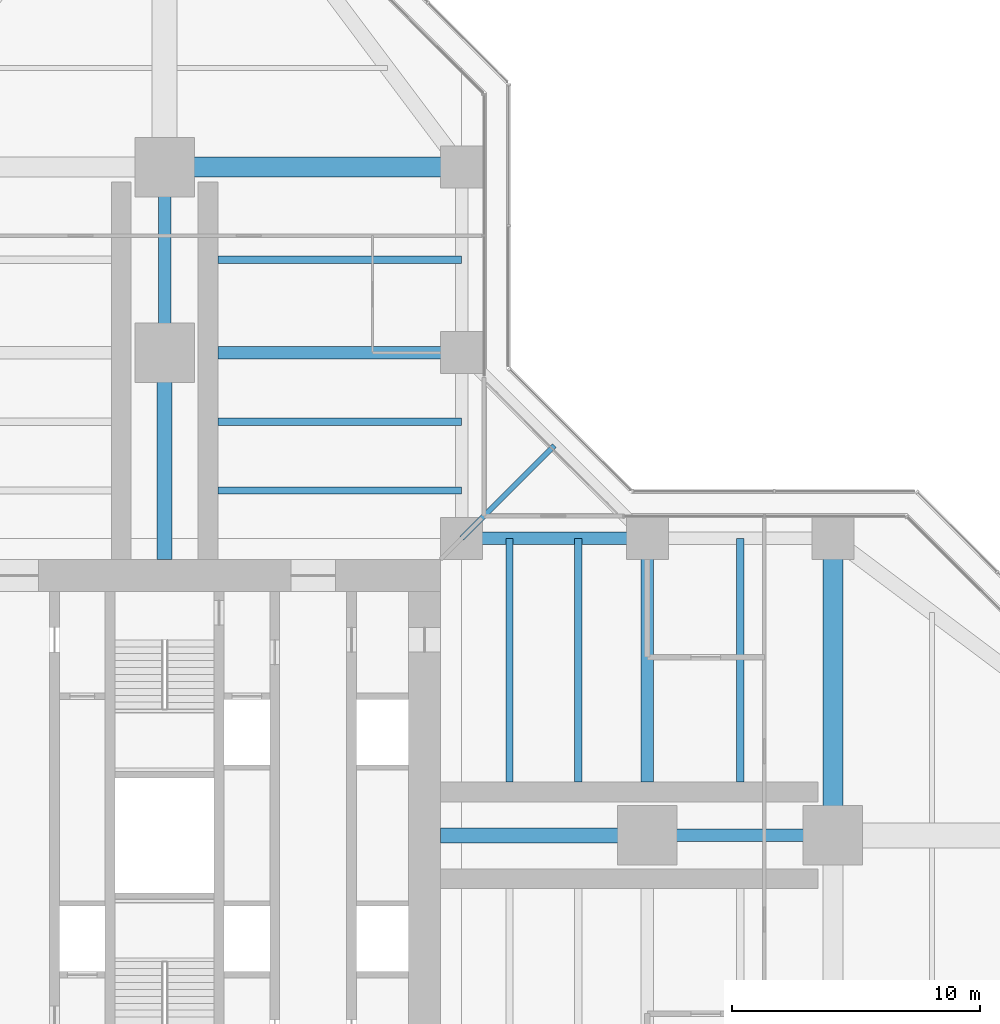
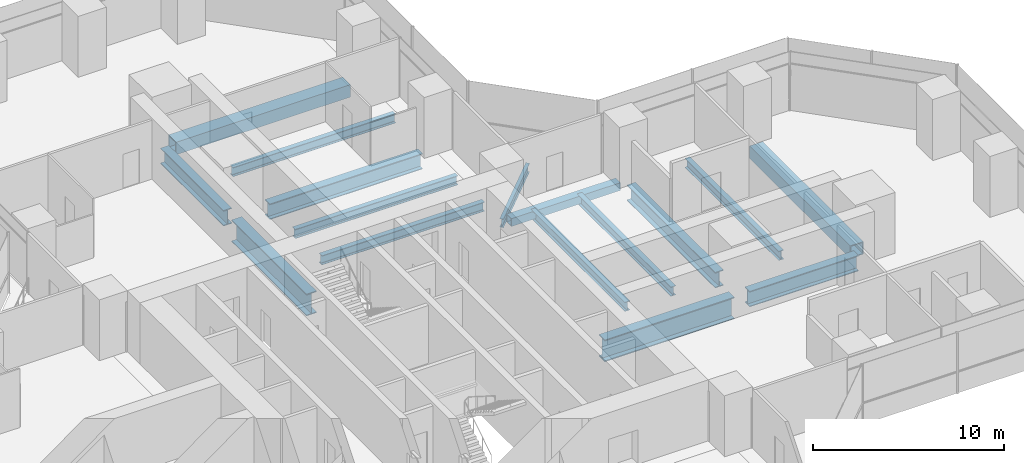
# One storey, part 10 of 22: 16 beams.
"""IFC4 building model written with IfcOpenShell, lengths in metres."""

from ifc_helpers import new_model, si_unit, direction, frame, origin, origin_2d, place, context, subcontext, project, spatial, hollow_rectangle, i_section, extrude, material, material_profile, profile_set, type_object, element, save


model = new_model("IFC4")

# Units and contexts
model_context = context("Model", 3, precision=1e-05, world=origin(), true_north=direction((0.0, 1.0)))
body_context = subcontext(model_context, "Body", "Model", "MODEL_VIEW")
ifc_project = project(units=[si_unit("LENGTHUNIT", "METRE"), si_unit("AREAUNIT", "SQUARE_METRE"), si_unit("VOLUMEUNIT", "CUBIC_METRE"), si_unit("PLANEANGLEUNIT", "RADIAN"), si_unit("MASSUNIT", "GRAM", prefix="KILO")], contexts=[model_context])

# Site, building, storey
site_placement = place(None, origin())
site = spatial("IfcSite", under=ifc_project, at=site_placement, CompositionType="ELEMENT")
building_placement = place(site_placement, origin())
building = spatial("IfcBuilding", under=site, at=building_placement, Name="Mizan Broadcast Tower", CompositionType="ELEMENT")
storey_placement = place(building_placement, frame((0.0, 0.0, 78.60009765625)))
storey = spatial("IfcBuildingStorey", under=building, at=storey_placement, Name="L16", CompositionType="ELEMENT", Elevation=78.60009765625)

# Beams
ifc_material_1 = material(Name="Steel S355", Category="steel")
ifc_material_profile_1 = material_profile(ifc_material_1, hollow_rectangle(XDim=0.5, YDim=0.5, WallThickness=0.030029296875, at=origin_2d()), Name="BOX 500x500x30")
ifc_profile_set_1 = profile_set([ifc_material_profile_1], Name="Steel S355")
beam_type_1 = type_object("IfcBeamType", Name="EDGE BEAM BOX 500x500x30", PredefinedType="SPANDREL", material=ifc_profile_set_1)
beam_1_placement = place(storey_placement, frame((12.449951171875, 12.0, -0.380126953125), z_axis=(1.0, 0.0, 0.0), x_axis=(0.0, 1.0, 0.0)))
element("IfcBeam", 1, at=beam_1_placement, inside=storey, type_object=beam_type_1, Name="Edge beam BOX 500x500x30 L16 east arm", PredefinedType="SPANDREL", context=body_context, shape_type="SweptSolid", body=[
    extrude(hollow_rectangle(XDim=0.5, YDim=0.5, WallThickness=0.030029296875, at=origin_2d()), origin(), (0.0, 0.0, 1.0), 6.60009765625),
])
ifc_material_2 = material(Name="Steel S460", Category="steel")
ifc_material_profile_2 = material_profile(ifc_material_2, hollow_rectangle(XDim=0.800048828125, YDim=0.800048828125, WallThickness=0.050048828125, at=origin_2d()), Name="BOX 800x800x50")
ifc_profile_set_2 = profile_set([ifc_material_profile_2], Name="Steel S460")
beam_type_2 = type_object("IfcBeamType", Name="GIRDER BOX 800x800x50", PredefinedType="BEAM", material=ifc_profile_set_2)
for number, where, z_axis, x_axis, name in (
    (2, (27.0, 11.280029296875, -0.530029296875), (0.0, -1.0, 0.0), (1.0, 0.0, 0.0), "Girder BOX 800x800x50 L16 east arm"),
    (3, (11.280029296875, 27.0, -0.530029296875), (-1.0, 0.0, 0.0), (0.0, -1.0, 0.0), "Girder BOX 800x800x50 L16 north arm"),
):
    element("IfcBeam", number, at=place(storey_placement, frame(where, z_axis=z_axis, x_axis=x_axis)), inside=storey, type_object=beam_type_2, Name=name, PredefinedType="BEAM", context=body_context, shape_type="SweptSolid", body=[
        extrude(hollow_rectangle(XDim=0.800048828125, YDim=0.800048828125, WallThickness=0.050048828125, at=origin_2d()), origin(), (0.0, 0.0, 1.0), 10.56005859375),
    ])
ifc_material_3 = material(Name="Steel S460", Category="steel")
ifc_material_profile_3 = material_profile(ifc_material_3, i_section(OverallWidth=0.5, OverallDepth=1.0, WebThickness=0.02490234375, FlangeThickness=0.050048828125, at=origin_2d()), Name="WPG 1000x500")
ifc_profile_set_3 = profile_set([ifc_material_profile_3], Name="Steel S460")
beam_type_3 = type_object("IfcBeamType", Name="GIRDER WPG 1000x500", PredefinedType="BEAM", material=ifc_profile_set_3)
beam_2_placement = place(storey_placement, frame((19.949951171875, 0.0, -0.630126953125), z_axis=(1.0, 0.0, 0.0), x_axis=(0.0, 1.0, 0.0)))
element("IfcBeam", 4, at=beam_2_placement, inside=storey, type_object=beam_type_3, Name="Girder WPG 1000x500 L16 east arm", PredefinedType="BEAM", context=body_context, shape_type="SweptSolid", body=[
    extrude(i_section(OverallWidth=0.5, OverallDepth=1.0, WebThickness=0.02490234375, FlangeThickness=0.050048828125, at=origin_2d()), origin(), (0.0, 0.0, 1.0), 6.60009765625),
])
beam_3_placement = place(storey_placement, frame((19.5, 11.408935546875, -0.630126953125), z_axis=(0.0, -1.0, 0.0), x_axis=(1.0, 0.0, 0.0)))
element("IfcBeam", 5, at=beam_3_placement, inside=storey, type_object=beam_type_3, Name="Girder WPG 1000x500 L16 east arm", PredefinedType="BEAM", context=body_context, shape_type="SweptSolid", body=[
    extrude(i_section(OverallWidth=0.5, OverallDepth=1.0, WebThickness=0.02490234375, FlangeThickness=0.050048828125, at=origin_2d()), origin(), (0.0, 0.0, 1.0), 9.259033203125),
])
beam_4_placement = place(storey_placement, frame((0.0, 19.949951171875, -0.630126953125), z_axis=(0.0, 1.0, 0.0), x_axis=(-1.0, 0.0, 0.0)))
element("IfcBeam", 6, at=beam_4_placement, inside=storey, type_object=beam_type_3, Name="Girder WPG 1000x500 L16 north arm", PredefinedType="BEAM", context=body_context, shape_type="SweptSolid", body=[
    extrude(i_section(OverallWidth=0.5, OverallDepth=1.0, WebThickness=0.02490234375, FlangeThickness=0.050048828125, at=origin_2d()), origin(), (0.0, 0.0, 1.0), 6.60009765625),
])
beam_5_placement = place(storey_placement, frame((11.408935546875, 19.5, -0.630126953125), z_axis=(-1.0, 0.0, 0.0), x_axis=(0.0, -1.0, 0.0)))
element("IfcBeam", 7, at=beam_5_placement, inside=storey, type_object=beam_type_3, Name="Girder WPG 1000x500 L16 north arm", PredefinedType="BEAM", context=body_context, shape_type="SweptSolid", body=[
    extrude(i_section(OverallWidth=0.5, OverallDepth=1.0, WebThickness=0.02490234375, FlangeThickness=0.050048828125, at=origin_2d()), origin(), (0.0, 0.0, 1.0), 9.259033203125),
])
ifc_material_4 = material(Name="Steel S460", Category="steel")
ifc_material_profile_4 = material_profile(ifc_material_4, i_section(OverallWidth=0.60009765625, OverallDepth=1.39990234375, WebThickness=0.02490234375, FlangeThickness=0.06005859375, at=origin_2d()), Name="WPG 1400x600")
ifc_profile_set_4 = profile_set([ifc_material_profile_4], Name="Steel S460")
beam_type_4 = type_object("IfcBeamType", Name="GIRDER WPG 1400x600", PredefinedType="BEAM", material=ifc_profile_set_4)
for number, where, z_axis, x_axis, name in (
    (8, (11.14990234375, 0.0, -0.830078125), (1.0, 0.0, 0.0), (0.0, 1.0, 0.0), "Girder WPG 1400x600 L16 east arm"),
    (9, (0.0, 11.14990234375, -0.830078125), (0.0, 1.0, 0.0), (-1.0, 0.0, 0.0), "Girder WPG 1400x600 L16 north arm"),
):
    element("IfcBeam", number, at=place(storey_placement, frame(where, z_axis=z_axis, x_axis=x_axis)), inside=storey, type_object=beam_type_4, Name=name, PredefinedType="BEAM", context=body_context, shape_type="SweptSolid", body=[
        extrude(i_section(OverallWidth=0.60009765625, OverallDepth=1.39990234375, WebThickness=0.02490234375, FlangeThickness=0.06005859375, at=origin_2d()), origin(), (0.0, 0.0, 1.0), 7.84912109375),
    ])
ifc_material_5 = material(Name="Steel S355", Category="steel")
ifc_material_profile_5 = material_profile(ifc_material_5, i_section(OverallWidth=0.300048828125, OverallDepth=0.590087890625, WebThickness=0.012939453125, FlangeThickness=0.02490234375, FilletRadius=0.027099609375, at=origin_2d()), Name="HEA 600")
ifc_profile_set_5 = profile_set([ifc_material_profile_5], Name="Steel S355")
beam_type_5 = type_object("IfcBeamType", Name="SECONDARY BEAM HEA 600", PredefinedType="JOIST", material=ifc_profile_set_5)
for number, where, z_axis, x_axis, name in (
    (10, (13.933349609375, 12.0, -0.425048828125), (0.0, -1.0, 0.0), (1.0, 0.0, 0.0), "Secondary beam HEA 600 L16 east arm"),
    (11, (16.716552734375, 12.0, -0.425048828125), (0.0, -1.0, 0.0), (1.0, 0.0, 0.0), "Secondary beam HEA 600 L16 east arm"),
    (12, (23.25, 12.0, -0.425048828125), (0.0, -1.0, 0.0), (1.0, 0.0, 0.0), "Secondary beam HEA 600 L16 east arm"),
    (13, (12.0, 13.933349609375, -0.425048828125), (-1.0, 0.0, 0.0), (0.0, -1.0, 0.0), "Secondary beam HEA 600 L16 north arm"),
    (14, (12.0, 16.716552734375, -0.425048828125), (-1.0, 0.0, 0.0), (0.0, -1.0, 0.0), "Secondary beam HEA 600 L16 north arm"),
    (15, (12.0, 23.25, -0.425048828125), (-1.0, 0.0, 0.0), (0.0, -1.0, 0.0), "Secondary beam HEA 600 L16 north arm"),
):
    element("IfcBeam", number, at=place(storey_placement, frame(where, z_axis=z_axis, x_axis=x_axis)), inside=storey, type_object=beam_type_5, Name=name, PredefinedType="JOIST", context=body_context, shape_type="SweptSolid", body=[
        extrude(i_section(OverallWidth=0.300048828125, OverallDepth=0.590087890625, WebThickness=0.012939453125, FlangeThickness=0.02490234375, FilletRadius=0.027099609375, at=origin_2d()), origin(), (0.0, 0.0, 1.0), 9.85009765625),
    ])
ifc_material_6 = material(Name="Steel S355", Category="steel")
ifc_material_profile_6 = material_profile(ifc_material_6, i_section(OverallWidth=0.2099609375, OverallDepth=0.550048828125, WebThickness=0.010986328125, FlangeThickness=0.01708984375, FilletRadius=0.02392578125, at=origin_2d()), Name="IPE 550")
ifc_profile_set_6 = profile_set([ifc_material_profile_6], Name="Steel S355")
beam_type_6 = type_object("IfcBeamType", Name="SECONDARY BEAM IPE 550", PredefinedType="JOIST", material=ifc_profile_set_6)
beam_6_placement = place(storey_placement, frame((12.0, 12.0, -0.405029296875), z_axis=(0.707106781187, 0.707106781187, 0.0), x_axis=(-0.707106781187, 0.707106781187, 0.0)))
element("IfcBeam", 16, at=beam_6_placement, inside=storey, type_object=beam_type_6, Name="Winter garden beam L16 E", PredefinedType="JOIST", context=body_context, shape_type="SweptSolid", body=[
    extrude(i_section(OverallWidth=0.2099609375, OverallDepth=0.550048828125, WebThickness=0.010986328125, FlangeThickness=0.01708984375, FilletRadius=0.02392578125, at=origin_2d()), origin(), (0.0, 0.0, 1.0), 5.30322265625),
])

save(model, "model.ifc")
